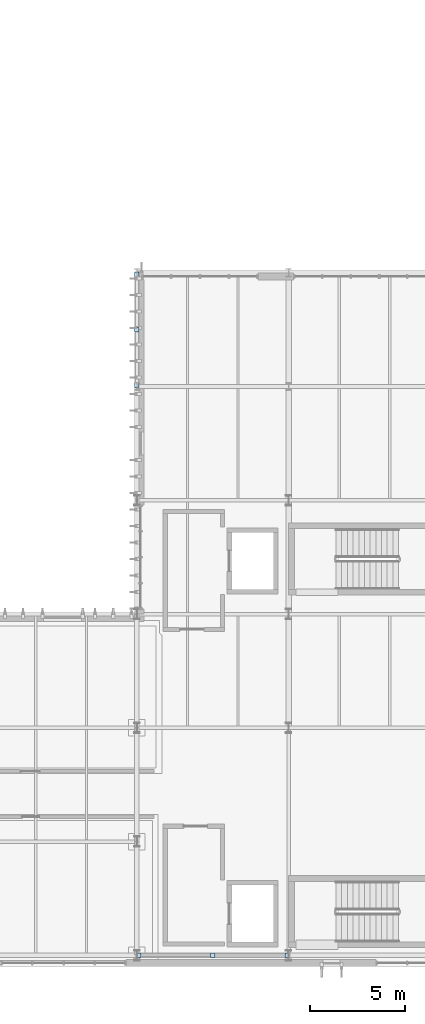
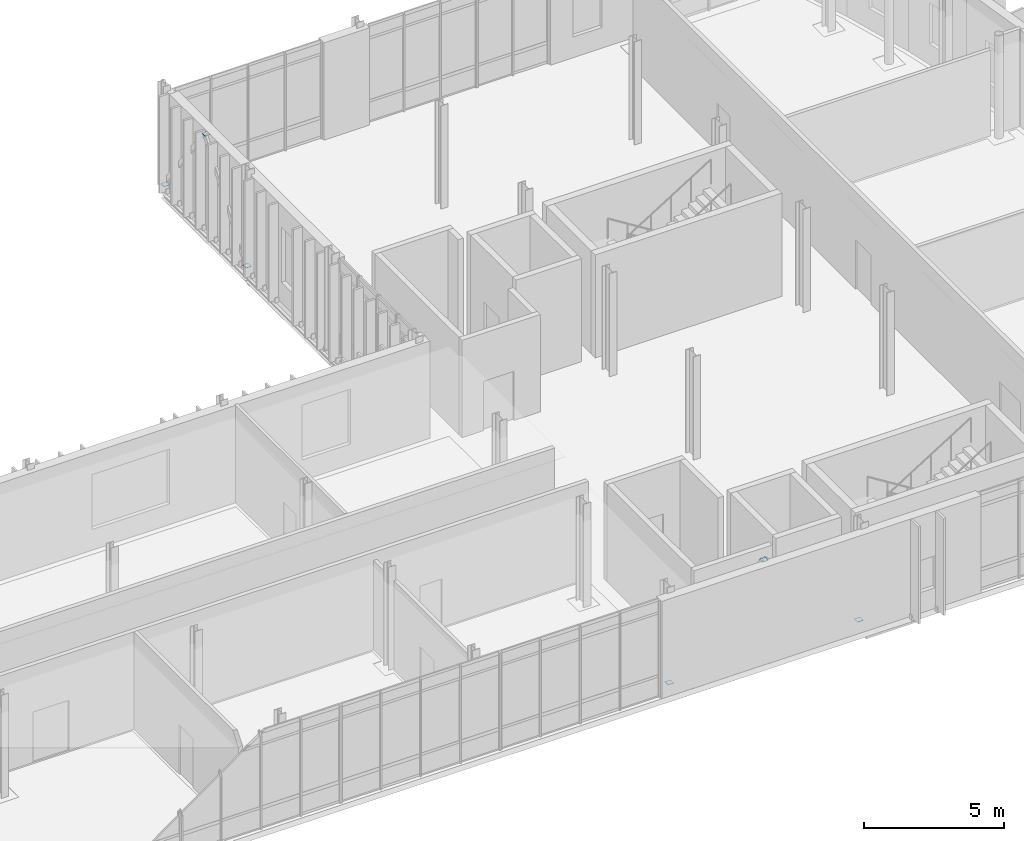
# One storey, part 66 of 100: 6 plates.
"""IFC4 building model written with IfcOpenShell, lengths in metres."""

from ifc_helpers import new_model, si_unit, direction, frame, origin, origin_2d, place, context, subcontext, project, spatial, rectangle, extrude, material, layer, layer_set, type_object, element, save


model = new_model("IFC4")

# Units and contexts
model_context = context("Model", 3, precision=1e-05, world=origin(), true_north=direction((0.0, 1.0)))
body_context = subcontext(model_context, "Body", "Model", "MODEL_VIEW")
ifc_project = project(units=[si_unit("LENGTHUNIT", "METRE"), si_unit("AREAUNIT", "SQUARE_METRE"), si_unit("VOLUMEUNIT", "CUBIC_METRE"), si_unit("PLANEANGLEUNIT", "RADIAN"), si_unit("MASSUNIT", "GRAM", prefix="KILO")], contexts=[model_context])

# Site, building, storey
site_placement = place(None, origin())
site = spatial("IfcSite", under=ifc_project, at=site_placement, CompositionType="ELEMENT")
building_placement = place(site_placement, origin())
building = spatial("IfcBuilding", under=site, at=building_placement, Name="Cymarion Research Institute", CompositionType="ELEMENT")
storey_placement = place(building_placement, frame((0.0, 0.0, 9.300048828125)))
storey = spatial("IfcBuildingStorey", under=building, at=storey_placement, Name="L02", CompositionType="ELEMENT", Elevation=9.300048828125)

# Plates
ifc_material = material(Name="Steel S355", Category="steel")
ifc_layer = layer(ifc_material, 0.011962890625)
ifc_layer_set = layer_set([ifc_layer], Name="Steel S355")
plate_type = type_object("IfcPlateType", Name="STEEL NODE GUSSET PLATE CP02 12MM", PredefinedType="USERDEFINED", material=ifc_layer_set)
for number, where, z_axis, x_axis, name in (
    (1, (142.60009765625, 5.5, 4.10400390625), (0.0, 0.0, 1.0), (1.0, 0.0, 0.0), "L02 V1 chevron apex gusset plate"),
    (2, (138.68505859375, 5.5, 0.11376953125), (0.0, 0.0, 1.0), (1.0, 0.0, 0.0), "L02 V1 chevron base gusset plate #1"),
    (3, (146.514892578125, 5.5, 0.11376953125), (0.0, 0.0, 1.0), (1.0, 0.0, 0.0), "L02 V1 chevron base gusset plate #2"),
    (4, (138.60009765625, 38.5, 4.10400390625), (0.0, 0.0, 1.0), (1.0, 0.0, 0.0), "L02 V1 chevron apex gusset plate"),
    (5, (138.60009765625, 35.572021484375, 0.11376953125), (0.0, 0.0, 1.0), (1.0, 0.0, 0.0), "L02 V1 chevron base gusset plate #1"),
    (6, (138.60009765625, 41.427978515625, 0.11376953125), (0.0, 0.0, 1.0), (1.0, 0.0, 0.0), "L02 V1 chevron base gusset plate #2"),
):
    element("IfcPlate", number, at=place(storey_placement, frame(where, z_axis=z_axis, x_axis=x_axis)), inside=storey, type_object=plate_type, Name=name, ObjectType="GUSSET PLATE", PredefinedType="USERDEFINED", context=body_context, shape_type="SweptSolid", body=[
        extrude(rectangle(XDim=0.239990234375, YDim=0.239990234375, at=origin_2d()), origin(), (0.0, 0.0, 1.0), 0.011962890625),
    ])

save(model, "model.ifc")
